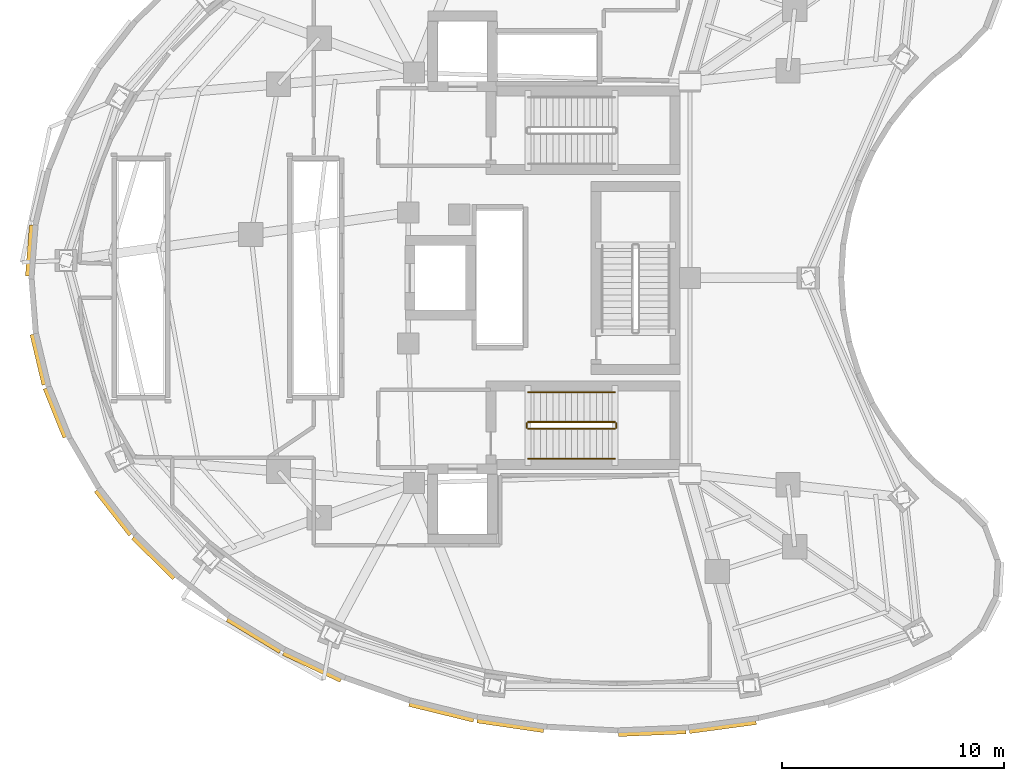
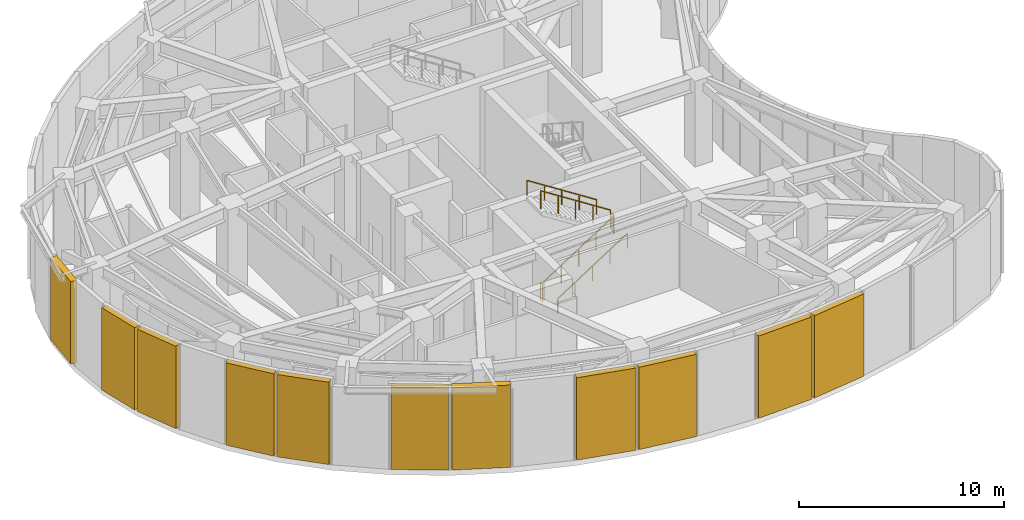
# One storey, part 8 of 10: 11 shading devices, 6 railings.
"""IFC4 building model written with IfcOpenShell, lengths in metres."""

from ifc_helpers import new_model, si_unit, direction, frame, origin, origin_2d, place, context, subcontext, project, spatial, rectangle, extrude, material, layer, layer_set, type_object, element, save


model = new_model("IFC4")

# Units and contexts
model_context = context("Model", 3, precision=1e-05, world=origin(), true_north=direction((0.0, 1.0)))
body_context = subcontext(model_context, "Body", "Model", "MODEL_VIEW")
ifc_project = project(units=[si_unit("LENGTHUNIT", "METRE"), si_unit("AREAUNIT", "SQUARE_METRE"), si_unit("VOLUMEUNIT", "CUBIC_METRE"), si_unit("PLANEANGLEUNIT", "RADIAN"), si_unit("MASSUNIT", "GRAM", prefix="KILO")], contexts=[model_context])

# Site, building, storey
site_placement = place(None, origin())
site = spatial("IfcSite", under=ifc_project, at=site_placement, CompositionType="ELEMENT")
building_placement = place(site_placement, origin())
building = spatial("IfcBuilding", under=site, at=building_placement, Name="Korentha Bioscience Tower", CompositionType="ELEMENT")
storey_placement = place(building_placement, frame((0.0, 0.0, 148.800048828125)))
storey = spatial("IfcBuildingStorey", under=building, at=storey_placement, Name="L34", CompositionType="ELEMENT", Elevation=148.800048828125)

# Shading devices
ifc_material_1 = material(Name="Powder-Coated Aluminium Louvre", Category="aluminium")
ifc_layer = layer(ifc_material_1, 0.1201171875, Name="Powder-Coated Aluminium Louvre")
ifc_layer_set = layer_set([ifc_layer], Name="Powder-Coated Aluminium Louvre (LV-350)")
shading_device_type = type_object("IfcShadingDeviceType", Name="Acoustic Weatherproof Aluminium Plant Louvre 350", PredefinedType="USERDEFINED", material=ifc_layer_set)
shading_device_1_placement = place(storey_placement, frame((7.852294921875, 28.229736328125, 0.10009765625), z_axis=(0.0, 0.0, 1.0), x_axis=(-0.078049240507, -0.996949505269, 0.0)))
element("IfcShadingDevice", 1, at=shading_device_1_placement, inside=storey, type_object=shading_device_type, Name="L34 Acoustic Plant Louvre 18", ObjectType="LOUVRE", PredefinedType="USERDEFINED", context=body_context, shape_type="SweptSolid", body=[
    extrude(rectangle(XDim=2.310302734375, YDim=0.35009765625, at=origin_2d()), origin(), (0.0, 0.0, 1.0), 4.89990234375),
])
shading_device_2_placement = place(storey_placement, frame((8.236083984375, 23.328369140625, 0.10009765625), z_axis=(0.0, 0.0, 1.0), x_axis=(0.2308309781, -0.972993864086, 0.0)))
element("IfcShadingDevice", 2, at=shading_device_2_placement, inside=storey, type_object=shading_device_type, Name="L34 Acoustic Plant Louvre 20", ObjectType="LOUVRE", PredefinedType="USERDEFINED", context=body_context, shape_type="SweptSolid", body=[
    extrude(rectangle(XDim=2.33447265625, YDim=0.35009765625, at=origin_2d()), origin(), (0.0, 0.0, 1.0), 4.89990234375),
])
shading_device_3_placement = place(storey_placement, frame((8.998291015625, 20.939453125, 0.10009765625), z_axis=(0.0, 0.0, 1.0), x_axis=(0.373987990768, -0.927433546278, 0.0)))
element("IfcShadingDevice", 3, at=shading_device_3_placement, inside=storey, type_object=shading_device_type, Name="L34 Acoustic Plant Louvre 21", ObjectType="LOUVRE", PredefinedType="USERDEFINED", context=body_context, shape_type="SweptSolid", body=[
    extrude(rectangle(XDim=2.381103515625, YDim=0.35009765625, at=origin_2d()), origin(), (0.0, 0.0, 1.0), 4.89990234375),
])
shading_device_4_placement = place(storey_placement, frame((11.6083984375, 16.456787109375, 0.10009765625), z_axis=(0.0, 0.0, 1.0), x_axis=(0.615896321868, -0.787827215009, 0.0)))
element("IfcShadingDevice", 4, at=shading_device_4_placement, inside=storey, type_object=shading_device_type, Name="L34 Acoustic Plant Louvre 23", ObjectType="LOUVRE", PredefinedType="USERDEFINED", context=body_context, shape_type="SweptSolid", body=[
    extrude(rectangle(XDim=2.524169921875, YDim=0.35009765625, at=origin_2d()), origin(), (0.0, 0.0, 1.0), 4.89990234375),
])
shading_device_5_placement = place(storey_placement, frame((13.4189453125, 14.427734375, 0.10009765625), z_axis=(0.0, 0.0, 1.0), x_axis=(0.711442474049, -0.702744339087, 0.0)))
element("IfcShadingDevice", 5, at=shading_device_5_placement, inside=storey, type_object=shading_device_type, Name="L34 Acoustic Plant Louvre 24", ObjectType="LOUVRE", PredefinedType="USERDEFINED", context=body_context, shape_type="SweptSolid", body=[
    extrude(rectangle(XDim=2.610595703125, YDim=0.35009765625, at=origin_2d()), origin(), (0.0, 0.0, 1.0), 4.89990234375),
])
shading_device_6_placement = place(storey_placement, frame((17.920654296875, 10.940673828125, 0.10009765625), z_axis=(0.0, 0.0, 1.0), x_axis=(0.854556204173, -0.519358925897, 0.0)))
element("IfcShadingDevice", 6, at=shading_device_6_placement, inside=storey, type_object=shading_device_type, Name="L34 Acoustic Plant Louvre 26", ObjectType="LOUVRE", PredefinedType="USERDEFINED", context=body_context, shape_type="SweptSolid", body=[
    extrude(rectangle(XDim=2.786376953125, YDim=0.35009765625, at=origin_2d()), origin(), (0.0, 0.0, 1.0), 4.89990234375),
])
shading_device_7_placement = place(storey_placement, frame((20.546875, 9.532958984375, 0.10009765625), z_axis=(0.0, 0.0, 1.0), x_axis=(0.905017085863, -0.425375215892, 0.0)))
element("IfcShadingDevice", 7, at=shading_device_7_placement, inside=storey, type_object=shading_device_type, Name="L34 Acoustic Plant Louvre 27", ObjectType="LOUVRE", PredefinedType="USERDEFINED", context=body_context, shape_type="SweptSolid", body=[
    extrude(rectangle(XDim=2.86572265625, YDim=0.35009765625, at=origin_2d()), origin(), (0.0, 0.0, 1.0), 4.89990234375),
])
shading_device_8_placement = place(storey_placement, frame((26.36083984375, 7.4912109375, 0.10009765625), z_axis=(0.0, 0.0, 1.0), x_axis=(0.971319021048, -0.23778006508, 0.0)))
element("IfcShadingDevice", 8, at=shading_device_8_placement, inside=storey, type_object=shading_device_type, Name="L34 Acoustic Plant Louvre 29", ObjectType="LOUVRE", PredefinedType="USERDEFINED", context=body_context, shape_type="SweptSolid", body=[
    extrude(rectangle(XDim=2.98876953125, YDim=0.35009765625, at=origin_2d()), origin(), (0.0, 0.0, 1.0), 4.89990234375),
])
shading_device_9_placement = place(storey_placement, frame((29.464599609375, 6.886474609375, 0.10009765625), z_axis=(0.0, 0.0, 1.0), x_axis=(0.989462379996, -0.144790188107, 0.0)))
element("IfcShadingDevice", 9, at=shading_device_9_placement, inside=storey, type_object=shading_device_type, Name="L34 Acoustic Plant Louvre 30", ObjectType="LOUVRE", PredefinedType="USERDEFINED", context=body_context, shape_type="SweptSolid", body=[
    extrude(rectangle(XDim=3.026611328125, YDim=0.35009765625, at=origin_2d()), origin(), (0.0, 0.0, 1.0), 4.89990234375),
])
shading_device_10_placement = place(storey_placement, frame((35.842529296875, 6.552978515625, 0.10009765625), z_axis=(0.0, 0.0, 1.0), x_axis=(0.999189865519, 0.040244411333, 0.0)))
element("IfcShadingDevice", 10, at=shading_device_10_placement, inside=storey, type_object=shading_device_type, Name="L34 Acoustic Plant Louvre 32", ObjectType="LOUVRE", PredefinedType="USERDEFINED", context=body_context, shape_type="SweptSolid", body=[
    extrude(rectangle(XDim=3.0478515625, YDim=0.35009765625, at=origin_2d()), origin(), (0.0, 0.0, 1.0), 4.89990234375),
])
shading_device_11_placement = place(storey_placement, frame((39.0244140625, 6.829345703125, 0.10009765625), z_axis=(0.0, 0.0, 1.0), x_axis=(0.991142008487, 0.132806321435, 0.0)))
element("IfcShadingDevice", 11, at=shading_device_11_placement, inside=storey, type_object=shading_device_type, Name="L34 Acoustic Plant Louvre 33", ObjectType="LOUVRE", PredefinedType="USERDEFINED", context=body_context, shape_type="SweptSolid", body=[
    extrude(rectangle(XDim=3.030517578125, YDim=0.35009765625, at=origin_2d()), origin(), (0.0, 0.0, 1.0), 4.89990234375),
])

# Railings
ifc_material_2 = material(Name="Stainless Steel 304", Category="steel")
railing_type_1 = type_object("IfcRailingType", Name="Brushed Stainless Stair Handrail 900", PredefinedType="HANDRAIL", material=ifc_material_2)
railing_1_placement = place(storey_placement, frame((30.25, 18.85009765625, 0.179931640625)))
element("IfcRailing", 12, at=railing_1_placement, inside=storey, type_object=railing_type_1, Name="L34 ST-2 stair handrail 1", PredefinedType="HANDRAIL", context=body_context, shape_type="SweptSolid", body=[
    extrude(rectangle(XDim=0.048095703125, YDim=0.048095703125, at=origin_2d()), frame((0.0, 0.0, 0.8759765625), z_axis=(0.841171666519, 0.0, 0.540768182723), x_axis=(0.0, 1.0, 0.0)), (0.0, 0.0, 1.0), 4.66015625),
    extrude(rectangle(XDim=0.0419921875, YDim=0.0419921875, at=origin_2d()), origin(), (0.0, 0.0, 1.0), 0.851806640625),
    extrude(rectangle(XDim=0.0419921875, YDim=0.0419921875, at=origin_2d()), frame((0.97998046875, 0.0, 0.6298828125)), (0.0, 0.0, 1.0), 0.851806640625),
    extrude(rectangle(XDim=0.0419921875, YDim=0.0419921875, at=origin_2d()), frame((1.9599609375, 0.0, 1.260009765625)), (0.0, 0.0, 1.0), 0.851806640625),
    extrude(rectangle(XDim=0.0419921875, YDim=0.0419921875, at=origin_2d()), frame((2.93994140625, 0.0, 1.89013671875)), (0.0, 0.0, 1.0), 0.851806640625),
    extrude(rectangle(XDim=0.0419921875, YDim=0.0419921875, at=origin_2d()), frame((3.919921875, 0.0, 2.52001953125)), (0.0, 0.0, 1.0), 0.851806640625),
])
railing_2_placement = place(storey_placement, frame((34.169921875, 21.85009765625, 2.8798828125)))
element("IfcRailing", 13, at=railing_2_placement, inside=storey, type_object=railing_type_1, Name="L34 ST-2 stair handrail 2", PredefinedType="HANDRAIL", context=body_context, shape_type="SweptSolid", body=[
    extrude(rectangle(XDim=0.048095703125, YDim=0.048095703125, at=origin_2d()), frame((0.0, 0.0, 0.8759765625), z_axis=(-0.841171666519, 0.0, 0.540768182723), x_axis=(0.0, -1.0, 0.0)), (0.0, 0.0, 1.0), 4.66015625),
    extrude(rectangle(XDim=0.0419921875, YDim=0.0419921875, at=origin_2d()), origin(), (0.0, 0.0, 1.0), 0.851806640625),
    extrude(rectangle(XDim=0.0419921875, YDim=0.0419921875, at=origin_2d()), frame((-0.97998046875, 0.0, 0.6298828125)), (0.0, 0.0, 1.0), 0.851806640625),
    extrude(rectangle(XDim=0.0419921875, YDim=0.0419921875, at=origin_2d()), frame((-1.9599609375, 0.0, 1.260009765625)), (0.0, 0.0, 1.0), 0.851806640625),
    extrude(rectangle(XDim=0.0419921875, YDim=0.0419921875, at=origin_2d()), frame((-2.93994140625, 0.0, 1.89013671875)), (0.0, 0.0, 1.0), 0.851806640625),
    extrude(rectangle(XDim=0.0419921875, YDim=0.0419921875, at=origin_2d()), frame((-3.919921875, 0.0, 2.52001953125)), (0.0, 0.0, 1.0), 0.851806640625),
])
ifc_material_3 = material(Name="Painted Steel S275", Category="steel")
railing_type_2 = type_object("IfcRailingType", Name="Painted Steel Stair Well Guardrail 1100", PredefinedType="GUARDRAIL", material=ifc_material_3)
railing_3_placement = place(storey_placement, frame((30.25, 20.199951171875, 0.179931640625)))
element("IfcRailing", 14, at=railing_3_placement, inside=storey, type_object=railing_type_2, Name="L34 ST-2 stair guard 1", PredefinedType="GUARDRAIL", context=body_context, shape_type="SweptSolid", body=[
    extrude(rectangle(XDim=0.048095703125, YDim=0.048095703125, at=origin_2d()), frame((0.0, 0.0, 1.076171875), z_axis=(0.841171666519, 0.0, 0.540768182723), x_axis=(0.0, 1.0, 0.0)), (0.0, 0.0, 1.0), 4.66015625),
    extrude(rectangle(XDim=0.0419921875, YDim=0.0419921875, at=origin_2d()), origin(), (0.0, 0.0, 1.0), 1.052001953125),
    extrude(rectangle(XDim=0.0419921875, YDim=0.0419921875, at=origin_2d()), frame((0.97998046875, 0.0, 0.6298828125)), (0.0, 0.0, 1.0), 1.052001953125),
    extrude(rectangle(XDim=0.0419921875, YDim=0.0419921875, at=origin_2d()), frame((1.9599609375, 0.0, 1.260009765625)), (0.0, 0.0, 1.0), 1.052001953125),
    extrude(rectangle(XDim=0.0419921875, YDim=0.0419921875, at=origin_2d()), frame((2.93994140625, 0.0, 1.89013671875)), (0.0, 0.0, 1.0), 1.052001953125),
    extrude(rectangle(XDim=0.0419921875, YDim=0.0419921875, at=origin_2d()), frame((3.919921875, 0.0, 2.52001953125)), (0.0, 0.0, 1.0), 1.052001953125),
])
railing_4_placement = place(storey_placement, frame((34.219970703125, 20.25, 2.699951171875)))
element("IfcRailing", 15, at=railing_4_placement, inside=storey, type_object=railing_type_2, Name="L34 ST-2 stair guard 2", PredefinedType="GUARDRAIL", context=body_context, shape_type="SweptSolid", body=[
    extrude(rectangle(XDim=0.048095703125, YDim=0.048095703125, at=origin_2d()), frame((0.0, 0.0, 1.076171875), z_axis=(0.0, 1.0, 0.0), x_axis=(-1.0, 0.0, 0.0)), (0.0, 0.0, 1.0), 0.199951171875),
    extrude(rectangle(XDim=0.0419921875, YDim=0.0419921875, at=origin_2d()), origin(), (0.0, 0.0, 1.0), 1.052001953125),
    extrude(rectangle(XDim=0.0419921875, YDim=0.0419921875, at=origin_2d()), frame((0.0, 0.199951171875, 0.0)), (0.0, 0.0, 1.0), 1.052001953125),
])
railing_5_placement = place(storey_placement, frame((34.169921875, 20.5, 2.8798828125)))
element("IfcRailing", 16, at=railing_5_placement, inside=storey, type_object=railing_type_2, Name="L34 ST-2 stair guard 3", PredefinedType="GUARDRAIL", context=body_context, shape_type="SweptSolid", body=[
    extrude(rectangle(XDim=0.048095703125, YDim=0.048095703125, at=origin_2d()), frame((0.0, 0.0, 1.076171875), z_axis=(-0.841171666519, 0.0, 0.540768182723), x_axis=(0.0, -1.0, 0.0)), (0.0, 0.0, 1.0), 4.66015625),
    extrude(rectangle(XDim=0.0419921875, YDim=0.0419921875, at=origin_2d()), origin(), (0.0, 0.0, 1.0), 1.052001953125),
    extrude(rectangle(XDim=0.0419921875, YDim=0.0419921875, at=origin_2d()), frame((-0.97998046875, 0.0, 0.6298828125)), (0.0, 0.0, 1.0), 1.052001953125),
    extrude(rectangle(XDim=0.0419921875, YDim=0.0419921875, at=origin_2d()), frame((-1.9599609375, 0.0, 1.260009765625)), (0.0, 0.0, 1.0), 1.052001953125),
    extrude(rectangle(XDim=0.0419921875, YDim=0.0419921875, at=origin_2d()), frame((-2.93994140625, 0.0, 1.89013671875)), (0.0, 0.0, 1.0), 1.052001953125),
    extrude(rectangle(XDim=0.0419921875, YDim=0.0419921875, at=origin_2d()), frame((-3.919921875, 0.0, 2.52001953125)), (0.0, 0.0, 1.0), 1.052001953125),
])
railing_6_placement = place(storey_placement, frame((30.199951171875, 20.25, 0.0)))
element("IfcRailing", 17, at=railing_6_placement, inside=storey, type_object=railing_type_2, Name="L34 ST-2 stair guard 4", PredefinedType="GUARDRAIL", context=body_context, shape_type="SweptSolid", body=[
    extrude(rectangle(XDim=0.048095703125, YDim=0.048095703125, at=origin_2d()), frame((0.0, 0.0, 1.076171875), z_axis=(0.0, 1.0, 0.0), x_axis=(-1.0, 0.0, 0.0)), (0.0, 0.0, 1.0), 0.199951171875),
    extrude(rectangle(XDim=0.0419921875, YDim=0.0419921875, at=origin_2d()), origin(), (0.0, 0.0, 1.0), 1.052001953125),
    extrude(rectangle(XDim=0.0419921875, YDim=0.0419921875, at=origin_2d()), frame((0.0, 0.199951171875, 0.0)), (0.0, 0.0, 1.0), 1.052001953125),
])

save(model, "model.ifc")
